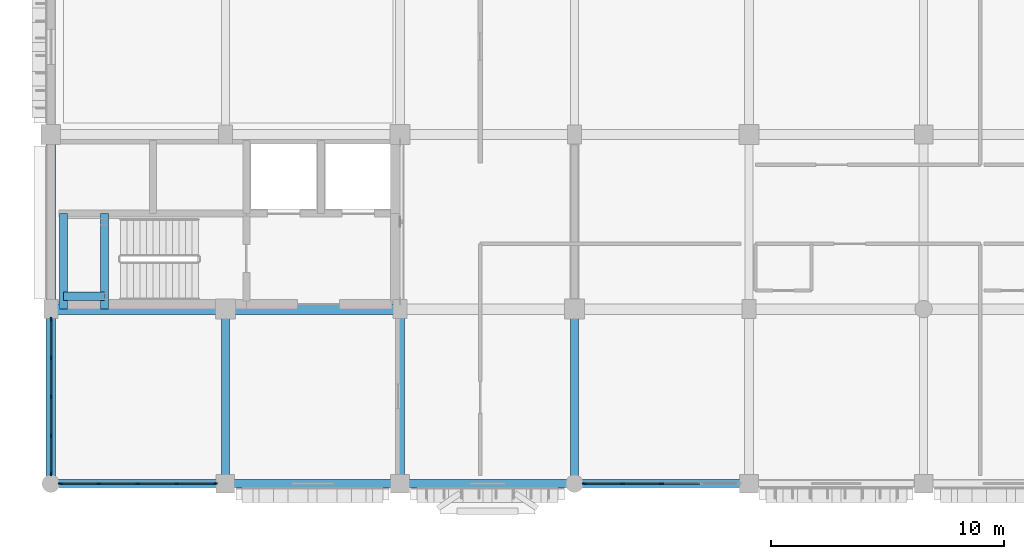
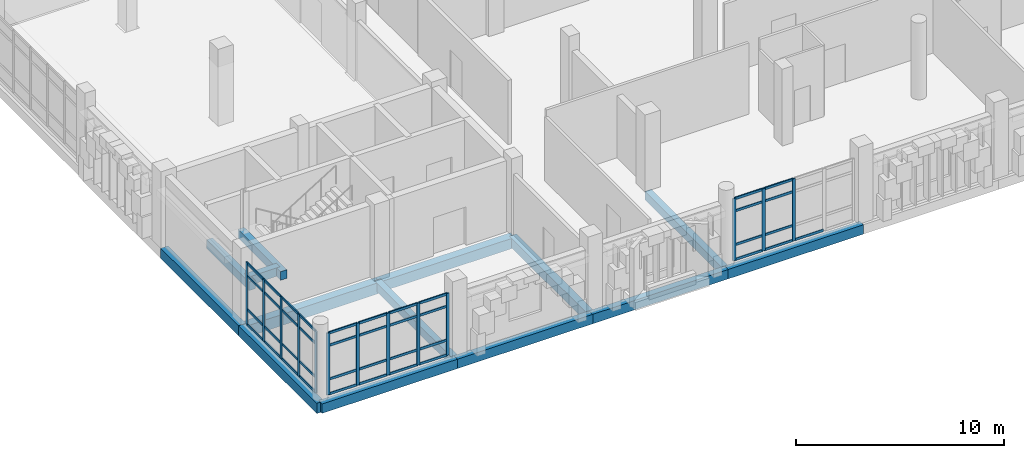
# One storey, part 13 of 128: 54 members, 14 beams, 3 elements without a shape of their own.
"""IFC4 building model written with IfcOpenShell, lengths in metres."""

from ifc_helpers import new_model, si_unit, direction, frame, origin, origin_2d, place, context, subcontext, project, spatial, rectangle, extrude, material, layer, layer_set, material_profile, profile_set, type_object, element, aggregate, save


model = new_model("IFC4")

# Units and contexts
model_context = context("Model", 3, precision=1e-05, world=origin(), true_north=direction((0.0, 1.0)))
body_context = subcontext(model_context, "Body", "Model", "MODEL_VIEW")
ifc_project = project(units=[si_unit("LENGTHUNIT", "METRE"), si_unit("AREAUNIT", "SQUARE_METRE"), si_unit("VOLUMEUNIT", "CUBIC_METRE"), si_unit("PLANEANGLEUNIT", "RADIAN"), si_unit("MASSUNIT", "GRAM", prefix="KILO")], contexts=[model_context])

# Site, building, storey
site_placement = place(None, origin())
site = spatial("IfcSite", under=ifc_project, at=site_placement, CompositionType="ELEMENT")
building_placement = place(site_placement, origin())
building = spatial("IfcBuilding", under=site, at=building_placement, Name="Dalvernix Boulevard General Hospital", CompositionType="ELEMENT")
storey_placement = place(building_placement, frame((0.0, 0.0, 4.800048828125)))
storey = spatial("IfcBuildingStorey", under=building, at=storey_placement, Name="L01", CompositionType="ELEMENT", Elevation=4.800048828125)

# Beams
ifc_material_1 = material(Name="Concrete C35/45", Category="concrete")
ifc_material_profile_1 = material_profile(ifc_material_1, rectangle(XDim=0.449951171875, YDim=0.64990234375, at=origin_2d()), Name="RCB 450x650")
ifc_profile_set_1 = profile_set([ifc_material_profile_1], Name="Concrete C35/45")
beam_type_1 = type_object("IfcBeamType", Name="BM-B-03-I", PredefinedType="BEAM", material=ifc_profile_set_1)
beam_1_placement = place(storey_placement, frame((0.0, 7.5, -0.625), z_axis=(1.0, 0.0, 0.0), x_axis=(0.0, 1.0, 0.0)))
element("IfcBeam", 1, at=beam_1_placement, inside=storey, type_object=beam_type_1, Name="L01 E-W girder B:1-2", PredefinedType="BEAM", context=body_context, shape_type="SweptSolid", body=[
    extrude(rectangle(XDim=0.449951171875, YDim=0.64990234375, at=origin_2d()), origin(), (0.0, 0.0, 1.0), 7.5),
])
ifc_material_profile_2 = material_profile(ifc_material_1, rectangle(XDim=0.449951171875, YDim=0.60009765625, at=origin_2d()), Name="RCB 450x600")
ifc_profile_set_2 = profile_set([ifc_material_profile_2], Name="Concrete C35/45")
beam_type_2 = type_object("IfcBeamType", Name="BM-B-04-I", PredefinedType="BEAM", material=ifc_profile_set_2)
beam_2_placement = place(storey_placement, frame((7.5, 7.5, -0.60009765625), z_axis=(1.0, 0.0, 0.0), x_axis=(0.0, 1.0, 0.0)))
element("IfcBeam", 2, at=beam_2_placement, inside=storey, type_object=beam_type_2, Name="L01 E-W girder B:2-3", PredefinedType="BEAM", context=body_context, shape_type="SweptSolid", body=[
    extrude(rectangle(XDim=0.449951171875, YDim=0.60009765625, at=origin_2d()), origin(), (0.0, 0.0, 1.0), 7.5),
])
ifc_material_profile_3 = material_profile(ifc_material_1, rectangle(XDim=0.39990234375, YDim=0.550048828125, at=origin_2d()), Name="RCB 400x550")
ifc_profile_set_3 = profile_set([ifc_material_profile_3], Name="Concrete C35/45")
beam_type_3 = type_object("IfcBeamType", Name="BM-B-06-I", PredefinedType="BEAM", material=ifc_profile_set_3)
beam_3_placement = place(storey_placement, frame((15.0, 0.0, -0.574951171875), z_axis=(0.0, 1.0, 0.0), x_axis=(-1.0, 0.0, 0.0)))
element("IfcBeam", 3, at=beam_3_placement, inside=storey, type_object=beam_type_3, Name="L01 N-S girder 3:A-B", PredefinedType="BEAM", context=body_context, shape_type="SweptSolid", body=[
    extrude(rectangle(XDim=0.39990234375, YDim=0.550048828125, at=origin_2d()), origin(), (0.0, 0.0, 1.0), 7.5),
])
ifc_material_profile_4 = material_profile(ifc_material_1, rectangle(XDim=0.35009765625, YDim=0.5, at=origin_2d()), Name="RCB 350x500")
ifc_profile_set_4 = profile_set([ifc_material_profile_4], Name="Concrete C35/45")
beam_type_4 = type_object("IfcBeamType", Name="BM-B-08", PredefinedType="BEAM", material=ifc_profile_set_4)
for number, where, z_axis, x_axis, name in (
    (4, (0.550048828125, 7.5, 1.800048828125), (0.0, 1.0, 0.0), (-1.0, 0.0, 0.0), "L01 C1 stair half-landing beam 1"),
    (5, (2.300048828125, 7.5, 1.800048828125), (0.0, 1.0, 0.0), (-1.0, 0.0, 0.0), "L01 C1 stair half-landing beam 2"),
):
    element("IfcBeam", number, at=place(storey_placement, frame(where, z_axis=z_axis, x_axis=x_axis)), inside=storey, type_object=beam_type_4, Name=name, PredefinedType="BEAM", context=body_context, shape_type="SweptSolid", body=[
        extrude(rectangle(XDim=0.35009765625, YDim=0.5, at=origin_2d()), origin(), (0.0, 0.0, 1.0), 4.10009765625),
    ])
beam_4_placement = place(storey_placement, frame((0.550048828125, 8.050048828125, 1.800048828125), z_axis=(1.0, 0.0, 0.0), x_axis=(0.0, 1.0, 0.0)))
element("IfcBeam", 6, at=beam_4_placement, inside=storey, type_object=beam_type_4, Name="L01 C1 stair half-landing tie beam", PredefinedType="BEAM", context=body_context, shape_type="SweptSolid", body=[
    extrude(rectangle(XDim=0.35009765625, YDim=0.5, at=origin_2d()), origin(), (0.0, 0.0, 1.0), 1.75),
])
ifc_material_profile_5 = material_profile(ifc_material_1, rectangle(XDim=0.35009765625, YDim=0.5, at=origin_2d()), Name="RCB 350x500")
ifc_profile_set_5 = profile_set([ifc_material_profile_5], Name="Concrete C35/45")
beam_type_5 = type_object("IfcBeamType", Name="BM-B-08-I", PredefinedType="BEAM", material=ifc_profile_set_5)
for number, where, z_axis, x_axis, name in (
    (7, (7.5, 0.0, -0.550048828125), (0.0, 1.0, 0.0), (-1.0, 0.0, 0.0), "L01 N-S girder 2:A-B"),
    (8, (22.5, 0.0, -0.550048828125), (0.0, 1.0, 0.0), (-1.0, 0.0, 0.0), "L01 N-S girder 4:A-B"),
):
    element("IfcBeam", number, at=place(storey_placement, frame(where, z_axis=z_axis, x_axis=x_axis)), inside=storey, type_object=beam_type_5, Name=name, PredefinedType="BEAM", context=body_context, shape_type="SweptSolid", body=[
        extrude(rectangle(XDim=0.35009765625, YDim=0.5, at=origin_2d()), origin(), (0.0, 0.0, 1.0), 7.5),
    ])
ifc_material_profile_6 = material_profile(ifc_material_1, rectangle(XDim=0.35009765625, YDim=0.550048828125, at=origin_2d()), Name="RCB 350x550")
ifc_profile_set_6 = profile_set([ifc_material_profile_6], Name="Concrete C35/45")
beam_type_6 = type_object("IfcBeamType", Name="BM-SB-01-E", PredefinedType="SPANDREL", material=ifc_profile_set_6)
for number, where, z_axis, x_axis, name in (
    (9, (0.0, 0.0, -0.574951171875), (1.0, 0.0, 0.0), (0.0, 1.0, 0.0), "L01 E-W girder A:1-2"),
    (10, (7.5, 0.0, -0.574951171875), (1.0, 0.0, 0.0), (0.0, 1.0, 0.0), "L01 E-W girder A:2-3"),
    (11, (15.0, 0.0, -0.574951171875), (1.0, 0.0, 0.0), (0.0, 1.0, 0.0), "L01 E-W girder A:3-4"),
    (12, (22.5, 0.0, -0.574951171875), (1.0, 0.0, 0.0), (0.0, 1.0, 0.0), "L01 E-W girder A:4-5"),
):
    element("IfcBeam", number, at=place(storey_placement, frame(where, z_axis=z_axis, x_axis=x_axis)), inside=storey, type_object=beam_type_6, Name=name, PredefinedType="SPANDREL", context=body_context, shape_type="SweptSolid", body=[
        extrude(rectangle(XDim=0.35009765625, YDim=0.550048828125, at=origin_2d()), origin(), (0.0, 0.0, 1.0), 7.5),
    ])
ifc_material_profile_7 = material_profile(ifc_material_1, rectangle(XDim=0.39990234375, YDim=0.60009765625, at=origin_2d()), Name="RCB 400x600")
ifc_profile_set_7 = profile_set([ifc_material_profile_7], Name="Concrete C35/45")
beam_type_7 = type_object("IfcBeamType", Name="BM-SB-02-E", PredefinedType="SPANDREL", material=ifc_profile_set_7)
for number, where, z_axis, x_axis, name in (
    (13, (0.0, 0.0, -0.60009765625), (0.0, 1.0, 0.0), (-1.0, 0.0, 0.0), "L01 N-S girder 1:A-B"),
    (14, (0.0, 7.5, -0.60009765625), (0.0, 1.0, 0.0), (-1.0, 0.0, 0.0), "L01 N-S girder 1:B-C"),
):
    element("IfcBeam", number, at=place(storey_placement, frame(where, z_axis=z_axis, x_axis=x_axis)), inside=storey, type_object=beam_type_7, Name=name, PredefinedType="SPANDREL", context=body_context, shape_type="SweptSolid", body=[
        extrude(rectangle(XDim=0.39990234375, YDim=0.60009765625, at=origin_2d()), origin(), (0.0, 0.0, 1.0), 7.5),
    ])

# Curtain wall, members
ifc_material_2 = material(Name="Thermally broken aluminium and solar-control glass curtain wall", Category="aluminium")
ifc_layer = layer(ifc_material_2, 0.179931640625)
ifc_layer_set = layer_set([ifc_layer], Name="Thermally broken aluminium and solar-control glass curtain wall (CW-CW-B-67x36)")
curtain_wall_type = type_object("IfcCurtainWallType", Name="CW-CW-B-67x36", PredefinedType="USERDEFINED", material=ifc_layer_set)
curtain_wall_1_placement = place(storey_placement, origin())
curtain_wall_1 = element("IfcCurtainWall", 15, at=curtain_wall_1_placement, inside=storey, type_object=curtain_wall_type, Name="L01 curtain wall CW-B-67x36 0-0", ObjectType="GLAZED FACADE", PredefinedType="USERDEFINED")
ifc_material_3 = material(Name="Aluminium EN AW-6060", Category="aluminium")
ifc_material_profile_8 = material_profile(ifc_material_3, rectangle(XDim=0.06494140625, YDim=0.179931640625, at=origin_2d()), Name="ALU MULL 65x180")
ifc_profile_set_8 = profile_set([ifc_material_profile_8], Name="Aluminium EN AW-6060")
member_type_1 = type_object("IfcMemberType", Name="MEM-CW-M2", PredefinedType="MULLION", material=ifc_profile_set_8)
member_1_placement = place(storey_placement, frame((7.0576171875, 0.0, 0.0), z_axis=(0.0, 0.0, 1.0), x_axis=(0.0, -1.0, 0.0)))
member_1 = element("IfcMember", 16, at=member_1_placement, type_object=member_type_1, Name="CW-B-67x36 mullion 1", PredefinedType="MULLION", context=body_context, shape_type="SweptSolid", body=[
    extrude(rectangle(XDim=0.06494140625, YDim=0.179931640625, at=origin_2d()), origin(), (0.0, 0.0, 1.0), 3.6298828125),
])
member_2_placement = place(storey_placement, frame((5.413818359375, 0.0, 0.0), z_axis=(0.0, 0.0, 1.0), x_axis=(0.0, -1.0, 0.0)))
member_2 = element("IfcMember", 17, at=member_2_placement, type_object=member_type_1, Name="CW-B-67x36 mullion 2", PredefinedType="MULLION", context=body_context, shape_type="SweptSolid", body=[
    extrude(rectangle(XDim=0.06494140625, YDim=0.179931640625, at=origin_2d()), origin(), (0.0, 0.0, 1.0), 3.6298828125),
])
member_3_placement = place(storey_placement, frame((3.737548828125, 0.0, 0.0), z_axis=(0.0, 0.0, 1.0), x_axis=(0.0, -1.0, 0.0)))
member_3 = element("IfcMember", 18, at=member_3_placement, type_object=member_type_1, Name="CW-B-67x36 mullion 3", PredefinedType="MULLION", context=body_context, shape_type="SweptSolid", body=[
    extrude(rectangle(XDim=0.06494140625, YDim=0.179931640625, at=origin_2d()), origin(), (0.0, 0.0, 1.0), 3.6298828125),
])
member_4_placement = place(storey_placement, frame((2.061279296875, 0.0, 0.0), z_axis=(0.0, 0.0, 1.0), x_axis=(0.0, -1.0, 0.0)))
member_4 = element("IfcMember", 19, at=member_4_placement, type_object=member_type_1, Name="CW-B-67x36 mullion 4", PredefinedType="MULLION", context=body_context, shape_type="SweptSolid", body=[
    extrude(rectangle(XDim=0.06494140625, YDim=0.179931640625, at=origin_2d()), origin(), (0.0, 0.0, 1.0), 3.6298828125),
])
member_5_placement = place(storey_placement, frame((0.41748046875, 0.0, 0.0), z_axis=(0.0, 0.0, 1.0), x_axis=(0.0, -1.0, 0.0)))
member_5 = element("IfcMember", 20, at=member_5_placement, type_object=member_type_1, Name="CW-B-67x36 mullion 5", PredefinedType="MULLION", context=body_context, shape_type="SweptSolid", body=[
    extrude(rectangle(XDim=0.06494140625, YDim=0.179931640625, at=origin_2d()), origin(), (0.0, 0.0, 1.0), 3.6298828125),
])

curtain_wall_2_placement = place(storey_placement, origin())
curtain_wall_2 = element("IfcCurtainWall", 21, at=curtain_wall_2_placement, inside=storey, type_object=curtain_wall_type, Name="L01 curtain wall CW-B-67x36 0-0", ObjectType="GLAZED FACADE", PredefinedType="USERDEFINED")
member_6_placement = place(storey_placement, frame((0.0, 0.41748046875, 0.0), z_axis=(0.0, 0.0, 1.0), x_axis=(-1.0, 0.0, 0.0)))
member_6 = element("IfcMember", 22, at=member_6_placement, type_object=member_type_1, Name="CW-B-67x36 mullion 1", PredefinedType="MULLION", context=body_context, shape_type="SweptSolid", body=[
    extrude(rectangle(XDim=0.06494140625, YDim=0.179931640625, at=origin_2d()), origin(), (0.0, 0.0, 1.0), 3.6298828125),
])
member_7_placement = place(storey_placement, frame((0.0, 2.061279296875, 0.0), z_axis=(0.0, 0.0, 1.0), x_axis=(-1.0, 0.0, 0.0)))
member_7 = element("IfcMember", 23, at=member_7_placement, type_object=member_type_1, Name="CW-B-67x36 mullion 2", PredefinedType="MULLION", context=body_context, shape_type="SweptSolid", body=[
    extrude(rectangle(XDim=0.06494140625, YDim=0.179931640625, at=origin_2d()), origin(), (0.0, 0.0, 1.0), 3.6298828125),
])
member_8_placement = place(storey_placement, frame((0.0, 3.737548828125, 0.0), z_axis=(0.0, 0.0, 1.0), x_axis=(-1.0, 0.0, 0.0)))
member_8 = element("IfcMember", 24, at=member_8_placement, type_object=member_type_1, Name="CW-B-67x36 mullion 3", PredefinedType="MULLION", context=body_context, shape_type="SweptSolid", body=[
    extrude(rectangle(XDim=0.06494140625, YDim=0.179931640625, at=origin_2d()), origin(), (0.0, 0.0, 1.0), 3.6298828125),
])
member_9_placement = place(storey_placement, frame((0.0, 5.413818359375, 0.0), z_axis=(0.0, 0.0, 1.0), x_axis=(-1.0, 0.0, 0.0)))
member_9 = element("IfcMember", 25, at=member_9_placement, type_object=member_type_1, Name="CW-B-67x36 mullion 4", PredefinedType="MULLION", context=body_context, shape_type="SweptSolid", body=[
    extrude(rectangle(XDim=0.06494140625, YDim=0.179931640625, at=origin_2d()), origin(), (0.0, 0.0, 1.0), 3.6298828125),
])
member_10_placement = place(storey_placement, frame((0.0, 7.0576171875, 0.0), z_axis=(0.0, 0.0, 1.0), x_axis=(-1.0, 0.0, 0.0)))
member_10 = element("IfcMember", 26, at=member_10_placement, type_object=member_type_1, Name="CW-B-67x36 mullion 5", PredefinedType="MULLION", context=body_context, shape_type="SweptSolid", body=[
    extrude(rectangle(XDim=0.06494140625, YDim=0.179931640625, at=origin_2d()), origin(), (0.0, 0.0, 1.0), 3.6298828125),
])

curtain_wall_3_placement = place(storey_placement, origin())
curtain_wall_3 = element("IfcCurtainWall", 27, at=curtain_wall_3_placement, inside=storey, type_object=curtain_wall_type, Name="L01 curtain wall CW-B-67x36 3-0", ObjectType="GLAZED FACADE", PredefinedType="USERDEFINED")
member_11_placement = place(storey_placement, frame((26.237548828125, 0.0, 0.0), z_axis=(0.0, 0.0, 1.0), x_axis=(0.0, -1.0, 0.0)))
member_11 = element("IfcMember", 28, at=member_11_placement, type_object=member_type_1, Name="CW-B-67x36 mullion 3", PredefinedType="MULLION", context=body_context, shape_type="SweptSolid", body=[
    extrude(rectangle(XDim=0.06494140625, YDim=0.179931640625, at=origin_2d()), origin(), (0.0, 0.0, 1.0), 3.6298828125),
])
member_12_placement = place(storey_placement, frame((24.561279296875, 0.0, 0.0), z_axis=(0.0, 0.0, 1.0), x_axis=(0.0, -1.0, 0.0)))
member_12 = element("IfcMember", 29, at=member_12_placement, type_object=member_type_1, Name="CW-B-67x36 mullion 4", PredefinedType="MULLION", context=body_context, shape_type="SweptSolid", body=[
    extrude(rectangle(XDim=0.06494140625, YDim=0.179931640625, at=origin_2d()), origin(), (0.0, 0.0, 1.0), 3.6298828125),
])
member_13_placement = place(storey_placement, frame((22.91748046875, 0.0, 0.0), z_axis=(0.0, 0.0, 1.0), x_axis=(0.0, -1.0, 0.0)))
member_13 = element("IfcMember", 30, at=member_13_placement, type_object=member_type_1, Name="CW-B-67x36 mullion 5", PredefinedType="MULLION", context=body_context, shape_type="SweptSolid", body=[
    extrude(rectangle(XDim=0.06494140625, YDim=0.179931640625, at=origin_2d()), origin(), (0.0, 0.0, 1.0), 3.6298828125),
])

# Member
ifc_material_profile_9 = material_profile(ifc_material_3, rectangle(XDim=0.06494140625, YDim=0.139892578125, at=origin_2d()), Name="ALU TRAN 65x140")
ifc_profile_set_9 = profile_set([ifc_material_profile_9], Name="Aluminium EN AW-6060")
member_type_2 = type_object("IfcMemberType", Name="MEM-CW-T2", PredefinedType="USERDEFINED", material=ifc_profile_set_9)
member_14_placement = place(storey_placement, frame((7.02490234375, 0.0, 0.032470703125), z_axis=(-1.0, 0.0, 0.0), x_axis=(0.0, -1.0, 0.0)))
member_14 = element("IfcMember", 31, at=member_14_placement, type_object=member_type_2, Name="CW-B-67x36 transom 1.1", ObjectType="TRANSOM", PredefinedType="USERDEFINED", context=body_context, shape_type="SweptSolid", body=[
    extrude(rectangle(XDim=0.06494140625, YDim=0.139892578125, at=origin_2d()), origin(), (0.0, 0.0, 1.0), 1.57861328125),
])

member_15_placement = place(storey_placement, frame((7.02490234375, 0.0, 0.89990234375), z_axis=(-1.0, 0.0, 0.0), x_axis=(0.0, -1.0, 0.0)))
member_15 = element("IfcMember", 32, at=member_15_placement, type_object=member_type_2, Name="CW-B-67x36 transom 1.2", ObjectType="TRANSOM", PredefinedType="USERDEFINED", context=body_context, shape_type="SweptSolid", body=[
    extrude(rectangle(XDim=0.06494140625, YDim=0.139892578125, at=origin_2d()), origin(), (0.0, 0.0, 1.0), 1.57861328125),
])

member_16_placement = place(storey_placement, frame((7.02490234375, 0.0, 2.8798828125), z_axis=(-1.0, 0.0, 0.0), x_axis=(0.0, -1.0, 0.0)))
member_16 = element("IfcMember", 33, at=member_16_placement, type_object=member_type_2, Name="CW-B-67x36 transom 1.3", ObjectType="TRANSOM", PredefinedType="USERDEFINED", context=body_context, shape_type="SweptSolid", body=[
    extrude(rectangle(XDim=0.06494140625, YDim=0.139892578125, at=origin_2d()), origin(), (0.0, 0.0, 1.0), 1.57861328125),
])

member_17_placement = place(storey_placement, frame((7.02490234375, 0.0, 3.597412109375), z_axis=(-1.0, 0.0, 0.0), x_axis=(0.0, -1.0, 0.0)))
member_17 = element("IfcMember", 34, at=member_17_placement, type_object=member_type_2, Name="CW-B-67x36 transom 1.4", ObjectType="TRANSOM", PredefinedType="USERDEFINED", context=body_context, shape_type="SweptSolid", body=[
    extrude(rectangle(XDim=0.06494140625, YDim=0.139892578125, at=origin_2d()), origin(), (0.0, 0.0, 1.0), 1.57861328125),
])

member_18_placement = place(storey_placement, frame((5.38134765625, 0.0, 0.032470703125), z_axis=(-1.0, 0.0, 0.0), x_axis=(0.0, -1.0, 0.0)))
member_18 = element("IfcMember", 35, at=member_18_placement, type_object=member_type_2, Name="CW-B-67x36 transom 2.1", ObjectType="TRANSOM", PredefinedType="USERDEFINED", context=body_context, shape_type="SweptSolid", body=[
    extrude(rectangle(XDim=0.06494140625, YDim=0.139892578125, at=origin_2d()), origin(), (0.0, 0.0, 1.0), 1.611328125),
])

member_19_placement = place(storey_placement, frame((5.38134765625, 0.0, 0.89990234375), z_axis=(-1.0, 0.0, 0.0), x_axis=(0.0, -1.0, 0.0)))
member_19 = element("IfcMember", 36, at=member_19_placement, type_object=member_type_2, Name="CW-B-67x36 transom 2.2", ObjectType="TRANSOM", PredefinedType="USERDEFINED", context=body_context, shape_type="SweptSolid", body=[
    extrude(rectangle(XDim=0.06494140625, YDim=0.139892578125, at=origin_2d()), origin(), (0.0, 0.0, 1.0), 1.611328125),
])

member_20_placement = place(storey_placement, frame((5.38134765625, 0.0, 2.8798828125), z_axis=(-1.0, 0.0, 0.0), x_axis=(0.0, -1.0, 0.0)))
member_20 = element("IfcMember", 37, at=member_20_placement, type_object=member_type_2, Name="CW-B-67x36 transom 2.3", ObjectType="TRANSOM", PredefinedType="USERDEFINED", context=body_context, shape_type="SweptSolid", body=[
    extrude(rectangle(XDim=0.06494140625, YDim=0.139892578125, at=origin_2d()), origin(), (0.0, 0.0, 1.0), 1.611328125),
])

member_21_placement = place(storey_placement, frame((5.38134765625, 0.0, 3.597412109375), z_axis=(-1.0, 0.0, 0.0), x_axis=(0.0, -1.0, 0.0)))
member_21 = element("IfcMember", 38, at=member_21_placement, type_object=member_type_2, Name="CW-B-67x36 transom 2.4", ObjectType="TRANSOM", PredefinedType="USERDEFINED", context=body_context, shape_type="SweptSolid", body=[
    extrude(rectangle(XDim=0.06494140625, YDim=0.139892578125, at=origin_2d()), origin(), (0.0, 0.0, 1.0), 1.611328125),
])

member_22_placement = place(storey_placement, frame((3.705078125, 0.0, 0.032470703125), z_axis=(-1.0, 0.0, 0.0), x_axis=(0.0, -1.0, 0.0)))
member_22 = element("IfcMember", 39, at=member_22_placement, type_object=member_type_2, Name="CW-B-67x36 transom 3.1", ObjectType="TRANSOM", PredefinedType="USERDEFINED", context=body_context, shape_type="SweptSolid", body=[
    extrude(rectangle(XDim=0.06494140625, YDim=0.139892578125, at=origin_2d()), origin(), (0.0, 0.0, 1.0), 1.611328125),
])

member_23_placement = place(storey_placement, frame((3.705078125, 0.0, 0.89990234375), z_axis=(-1.0, 0.0, 0.0), x_axis=(0.0, -1.0, 0.0)))
member_23 = element("IfcMember", 40, at=member_23_placement, type_object=member_type_2, Name="CW-B-67x36 transom 3.2", ObjectType="TRANSOM", PredefinedType="USERDEFINED", context=body_context, shape_type="SweptSolid", body=[
    extrude(rectangle(XDim=0.06494140625, YDim=0.139892578125, at=origin_2d()), origin(), (0.0, 0.0, 1.0), 1.611328125),
])

member_24_placement = place(storey_placement, frame((3.705078125, 0.0, 2.8798828125), z_axis=(-1.0, 0.0, 0.0), x_axis=(0.0, -1.0, 0.0)))
member_24 = element("IfcMember", 41, at=member_24_placement, type_object=member_type_2, Name="CW-B-67x36 transom 3.3", ObjectType="TRANSOM", PredefinedType="USERDEFINED", context=body_context, shape_type="SweptSolid", body=[
    extrude(rectangle(XDim=0.06494140625, YDim=0.139892578125, at=origin_2d()), origin(), (0.0, 0.0, 1.0), 1.611328125),
])

member_25_placement = place(storey_placement, frame((3.705078125, 0.0, 3.597412109375), z_axis=(-1.0, 0.0, 0.0), x_axis=(0.0, -1.0, 0.0)))
member_25 = element("IfcMember", 42, at=member_25_placement, type_object=member_type_2, Name="CW-B-67x36 transom 3.4", ObjectType="TRANSOM", PredefinedType="USERDEFINED", context=body_context, shape_type="SweptSolid", body=[
    extrude(rectangle(XDim=0.06494140625, YDim=0.139892578125, at=origin_2d()), origin(), (0.0, 0.0, 1.0), 1.611328125),
])

member_26_placement = place(storey_placement, frame((2.02880859375, 0.0, 0.032470703125), z_axis=(-1.0, 0.0, 0.0), x_axis=(0.0, -1.0, 0.0)))
member_26 = element("IfcMember", 43, at=member_26_placement, type_object=member_type_2, Name="CW-B-67x36 transom 4.1", ObjectType="TRANSOM", PredefinedType="USERDEFINED", context=body_context, shape_type="SweptSolid", body=[
    extrude(rectangle(XDim=0.06494140625, YDim=0.139892578125, at=origin_2d()), origin(), (0.0, 0.0, 1.0), 1.578857421875),
])

member_27_placement = place(storey_placement, frame((2.02880859375, 0.0, 0.89990234375), z_axis=(-1.0, 0.0, 0.0), x_axis=(0.0, -1.0, 0.0)))
member_27 = element("IfcMember", 44, at=member_27_placement, type_object=member_type_2, Name="CW-B-67x36 transom 4.2", ObjectType="TRANSOM", PredefinedType="USERDEFINED", context=body_context, shape_type="SweptSolid", body=[
    extrude(rectangle(XDim=0.06494140625, YDim=0.139892578125, at=origin_2d()), origin(), (0.0, 0.0, 1.0), 1.578857421875),
])

member_28_placement = place(storey_placement, frame((2.02880859375, 0.0, 2.8798828125), z_axis=(-1.0, 0.0, 0.0), x_axis=(0.0, -1.0, 0.0)))
member_28 = element("IfcMember", 45, at=member_28_placement, type_object=member_type_2, Name="CW-B-67x36 transom 4.3", ObjectType="TRANSOM", PredefinedType="USERDEFINED", context=body_context, shape_type="SweptSolid", body=[
    extrude(rectangle(XDim=0.06494140625, YDim=0.139892578125, at=origin_2d()), origin(), (0.0, 0.0, 1.0), 1.578857421875),
])

member_29_placement = place(storey_placement, frame((2.02880859375, 0.0, 3.597412109375), z_axis=(-1.0, 0.0, 0.0), x_axis=(0.0, -1.0, 0.0)))
member_29 = element("IfcMember", 46, at=member_29_placement, type_object=member_type_2, Name="CW-B-67x36 transom 4.4", ObjectType="TRANSOM", PredefinedType="USERDEFINED", context=body_context, shape_type="SweptSolid", body=[
    extrude(rectangle(XDim=0.06494140625, YDim=0.139892578125, at=origin_2d()), origin(), (0.0, 0.0, 1.0), 1.578857421875),
])

aggregate(curtain_wall_1, [member_1, member_2, member_3, member_4, member_5, member_14, member_15, member_16, member_17, member_18, member_19, member_20, member_21, member_22, member_23, member_24, member_25, member_26, member_27, member_28, member_29])

member_30_placement = place(storey_placement, frame((0.0, 0.449951171875, 0.032470703125), z_axis=(0.0, 1.0, 0.0), x_axis=(-1.0, 0.0, 0.0)))
member_30 = element("IfcMember", 47, at=member_30_placement, type_object=member_type_2, Name="CW-B-67x36 transom 1.1", ObjectType="TRANSOM", PredefinedType="USERDEFINED", context=body_context, shape_type="SweptSolid", body=[
    extrude(rectangle(XDim=0.06494140625, YDim=0.139892578125, at=origin_2d()), origin(), (0.0, 0.0, 1.0), 1.578857421875),
])

member_31_placement = place(storey_placement, frame((0.0, 0.449951171875, 0.89990234375), z_axis=(0.0, 1.0, 0.0), x_axis=(-1.0, 0.0, 0.0)))
member_31 = element("IfcMember", 48, at=member_31_placement, type_object=member_type_2, Name="CW-B-67x36 transom 1.2", ObjectType="TRANSOM", PredefinedType="USERDEFINED", context=body_context, shape_type="SweptSolid", body=[
    extrude(rectangle(XDim=0.06494140625, YDim=0.139892578125, at=origin_2d()), origin(), (0.0, 0.0, 1.0), 1.578857421875),
])

member_32_placement = place(storey_placement, frame((0.0, 0.449951171875, 2.8798828125), z_axis=(0.0, 1.0, 0.0), x_axis=(-1.0, 0.0, 0.0)))
member_32 = element("IfcMember", 49, at=member_32_placement, type_object=member_type_2, Name="CW-B-67x36 transom 1.3", ObjectType="TRANSOM", PredefinedType="USERDEFINED", context=body_context, shape_type="SweptSolid", body=[
    extrude(rectangle(XDim=0.06494140625, YDim=0.139892578125, at=origin_2d()), origin(), (0.0, 0.0, 1.0), 1.578857421875),
])

member_33_placement = place(storey_placement, frame((0.0, 0.449951171875, 3.597412109375), z_axis=(0.0, 1.0, 0.0), x_axis=(-1.0, 0.0, 0.0)))
member_33 = element("IfcMember", 50, at=member_33_placement, type_object=member_type_2, Name="CW-B-67x36 transom 1.4", ObjectType="TRANSOM", PredefinedType="USERDEFINED", context=body_context, shape_type="SweptSolid", body=[
    extrude(rectangle(XDim=0.06494140625, YDim=0.139892578125, at=origin_2d()), origin(), (0.0, 0.0, 1.0), 1.578857421875),
])

member_34_placement = place(storey_placement, frame((0.0, 2.09375, 0.032470703125), z_axis=(0.0, 1.0, 0.0), x_axis=(-1.0, 0.0, 0.0)))
member_34 = element("IfcMember", 51, at=member_34_placement, type_object=member_type_2, Name="CW-B-67x36 transom 2.1", ObjectType="TRANSOM", PredefinedType="USERDEFINED", context=body_context, shape_type="SweptSolid", body=[
    extrude(rectangle(XDim=0.06494140625, YDim=0.139892578125, at=origin_2d()), origin(), (0.0, 0.0, 1.0), 1.611328125),
])

member_35_placement = place(storey_placement, frame((0.0, 2.09375, 0.89990234375), z_axis=(0.0, 1.0, 0.0), x_axis=(-1.0, 0.0, 0.0)))
member_35 = element("IfcMember", 52, at=member_35_placement, type_object=member_type_2, Name="CW-B-67x36 transom 2.2", ObjectType="TRANSOM", PredefinedType="USERDEFINED", context=body_context, shape_type="SweptSolid", body=[
    extrude(rectangle(XDim=0.06494140625, YDim=0.139892578125, at=origin_2d()), origin(), (0.0, 0.0, 1.0), 1.611328125),
])

member_36_placement = place(storey_placement, frame((0.0, 2.09375, 2.8798828125), z_axis=(0.0, 1.0, 0.0), x_axis=(-1.0, 0.0, 0.0)))
member_36 = element("IfcMember", 53, at=member_36_placement, type_object=member_type_2, Name="CW-B-67x36 transom 2.3", ObjectType="TRANSOM", PredefinedType="USERDEFINED", context=body_context, shape_type="SweptSolid", body=[
    extrude(rectangle(XDim=0.06494140625, YDim=0.139892578125, at=origin_2d()), origin(), (0.0, 0.0, 1.0), 1.611328125),
])

member_37_placement = place(storey_placement, frame((0.0, 2.09375, 3.597412109375), z_axis=(0.0, 1.0, 0.0), x_axis=(-1.0, 0.0, 0.0)))
member_37 = element("IfcMember", 54, at=member_37_placement, type_object=member_type_2, Name="CW-B-67x36 transom 2.4", ObjectType="TRANSOM", PredefinedType="USERDEFINED", context=body_context, shape_type="SweptSolid", body=[
    extrude(rectangle(XDim=0.06494140625, YDim=0.139892578125, at=origin_2d()), origin(), (0.0, 0.0, 1.0), 1.611328125),
])

member_38_placement = place(storey_placement, frame((0.0, 3.77001953125, 0.032470703125), z_axis=(0.0, 1.0, 0.0), x_axis=(-1.0, 0.0, 0.0)))
member_38 = element("IfcMember", 55, at=member_38_placement, type_object=member_type_2, Name="CW-B-67x36 transom 3.1", ObjectType="TRANSOM", PredefinedType="USERDEFINED", context=body_context, shape_type="SweptSolid", body=[
    extrude(rectangle(XDim=0.06494140625, YDim=0.139892578125, at=origin_2d()), origin(), (0.0, 0.0, 1.0), 1.611328125),
])

member_39_placement = place(storey_placement, frame((0.0, 3.77001953125, 0.89990234375), z_axis=(0.0, 1.0, 0.0), x_axis=(-1.0, 0.0, 0.0)))
member_39 = element("IfcMember", 56, at=member_39_placement, type_object=member_type_2, Name="CW-B-67x36 transom 3.2", ObjectType="TRANSOM", PredefinedType="USERDEFINED", context=body_context, shape_type="SweptSolid", body=[
    extrude(rectangle(XDim=0.06494140625, YDim=0.139892578125, at=origin_2d()), origin(), (0.0, 0.0, 1.0), 1.611328125),
])

member_40_placement = place(storey_placement, frame((0.0, 3.77001953125, 2.8798828125), z_axis=(0.0, 1.0, 0.0), x_axis=(-1.0, 0.0, 0.0)))
member_40 = element("IfcMember", 57, at=member_40_placement, type_object=member_type_2, Name="CW-B-67x36 transom 3.3", ObjectType="TRANSOM", PredefinedType="USERDEFINED", context=body_context, shape_type="SweptSolid", body=[
    extrude(rectangle(XDim=0.06494140625, YDim=0.139892578125, at=origin_2d()), origin(), (0.0, 0.0, 1.0), 1.611328125),
])

member_41_placement = place(storey_placement, frame((0.0, 3.77001953125, 3.597412109375), z_axis=(0.0, 1.0, 0.0), x_axis=(-1.0, 0.0, 0.0)))
member_41 = element("IfcMember", 58, at=member_41_placement, type_object=member_type_2, Name="CW-B-67x36 transom 3.4", ObjectType="TRANSOM", PredefinedType="USERDEFINED", context=body_context, shape_type="SweptSolid", body=[
    extrude(rectangle(XDim=0.06494140625, YDim=0.139892578125, at=origin_2d()), origin(), (0.0, 0.0, 1.0), 1.611328125),
])

member_42_placement = place(storey_placement, frame((0.0, 5.4462890625, 0.032470703125), z_axis=(0.0, 1.0, 0.0), x_axis=(-1.0, 0.0, 0.0)))
member_42 = element("IfcMember", 59, at=member_42_placement, type_object=member_type_2, Name="CW-B-67x36 transom 4.1", ObjectType="TRANSOM", PredefinedType="USERDEFINED", context=body_context, shape_type="SweptSolid", body=[
    extrude(rectangle(XDim=0.06494140625, YDim=0.139892578125, at=origin_2d()), origin(), (0.0, 0.0, 1.0), 1.57861328125),
])

member_43_placement = place(storey_placement, frame((0.0, 5.4462890625, 0.89990234375), z_axis=(0.0, 1.0, 0.0), x_axis=(-1.0, 0.0, 0.0)))
member_43 = element("IfcMember", 60, at=member_43_placement, type_object=member_type_2, Name="CW-B-67x36 transom 4.2", ObjectType="TRANSOM", PredefinedType="USERDEFINED", context=body_context, shape_type="SweptSolid", body=[
    extrude(rectangle(XDim=0.06494140625, YDim=0.139892578125, at=origin_2d()), origin(), (0.0, 0.0, 1.0), 1.57861328125),
])

member_44_placement = place(storey_placement, frame((0.0, 5.4462890625, 2.8798828125), z_axis=(0.0, 1.0, 0.0), x_axis=(-1.0, 0.0, 0.0)))
member_44 = element("IfcMember", 61, at=member_44_placement, type_object=member_type_2, Name="CW-B-67x36 transom 4.3", ObjectType="TRANSOM", PredefinedType="USERDEFINED", context=body_context, shape_type="SweptSolid", body=[
    extrude(rectangle(XDim=0.06494140625, YDim=0.139892578125, at=origin_2d()), origin(), (0.0, 0.0, 1.0), 1.57861328125),
])

member_45_placement = place(storey_placement, frame((0.0, 5.4462890625, 3.597412109375), z_axis=(0.0, 1.0, 0.0), x_axis=(-1.0, 0.0, 0.0)))
member_45 = element("IfcMember", 62, at=member_45_placement, type_object=member_type_2, Name="CW-B-67x36 transom 4.4", ObjectType="TRANSOM", PredefinedType="USERDEFINED", context=body_context, shape_type="SweptSolid", body=[
    extrude(rectangle(XDim=0.06494140625, YDim=0.139892578125, at=origin_2d()), origin(), (0.0, 0.0, 1.0), 1.57861328125),
])

aggregate(curtain_wall_2, [member_6, member_7, member_8, member_9, member_10, member_30, member_31, member_32, member_33, member_34, member_35, member_36, member_37, member_38, member_39, member_40, member_41, member_42, member_43, member_44, member_45])

member_46_placement = place(storey_placement, frame((27.88134765625, 0.0, 0.032470703125), z_axis=(-1.0, 0.0, 0.0), x_axis=(0.0, -1.0, 0.0)))
member_46 = element("IfcMember", 63, at=member_46_placement, type_object=member_type_2, Name="CW-B-67x36 transom 2.1", ObjectType="TRANSOM", PredefinedType="USERDEFINED", context=body_context, shape_type="SweptSolid", body=[
    extrude(rectangle(XDim=0.06494140625, YDim=0.139892578125, at=origin_2d()), origin(), (0.0, 0.0, 1.0), 1.611328125),
])

member_47_placement = place(storey_placement, frame((26.205078125, 0.0, 0.032470703125), z_axis=(-1.0, 0.0, 0.0), x_axis=(0.0, -1.0, 0.0)))
member_47 = element("IfcMember", 64, at=member_47_placement, type_object=member_type_2, Name="CW-B-67x36 transom 3.1", ObjectType="TRANSOM", PredefinedType="USERDEFINED", context=body_context, shape_type="SweptSolid", body=[
    extrude(rectangle(XDim=0.06494140625, YDim=0.139892578125, at=origin_2d()), origin(), (0.0, 0.0, 1.0), 1.611328125),
])

member_48_placement = place(storey_placement, frame((26.205078125, 0.0, 0.89990234375), z_axis=(-1.0, 0.0, 0.0), x_axis=(0.0, -1.0, 0.0)))
member_48 = element("IfcMember", 65, at=member_48_placement, type_object=member_type_2, Name="CW-B-67x36 transom 3.2", ObjectType="TRANSOM", PredefinedType="USERDEFINED", context=body_context, shape_type="SweptSolid", body=[
    extrude(rectangle(XDim=0.06494140625, YDim=0.139892578125, at=origin_2d()), origin(), (0.0, 0.0, 1.0), 1.611328125),
])

member_49_placement = place(storey_placement, frame((26.205078125, 0.0, 2.8798828125), z_axis=(-1.0, 0.0, 0.0), x_axis=(0.0, -1.0, 0.0)))
member_49 = element("IfcMember", 66, at=member_49_placement, type_object=member_type_2, Name="CW-B-67x36 transom 3.3", ObjectType="TRANSOM", PredefinedType="USERDEFINED", context=body_context, shape_type="SweptSolid", body=[
    extrude(rectangle(XDim=0.06494140625, YDim=0.139892578125, at=origin_2d()), origin(), (0.0, 0.0, 1.0), 1.611328125),
])

member_50_placement = place(storey_placement, frame((26.205078125, 0.0, 3.597412109375), z_axis=(-1.0, 0.0, 0.0), x_axis=(0.0, -1.0, 0.0)))
member_50 = element("IfcMember", 67, at=member_50_placement, type_object=member_type_2, Name="CW-B-67x36 transom 3.4", ObjectType="TRANSOM", PredefinedType="USERDEFINED", context=body_context, shape_type="SweptSolid", body=[
    extrude(rectangle(XDim=0.06494140625, YDim=0.139892578125, at=origin_2d()), origin(), (0.0, 0.0, 1.0), 1.611328125),
])

member_51_placement = place(storey_placement, frame((24.52880859375, 0.0, 0.032470703125), z_axis=(-1.0, 0.0, 0.0), x_axis=(0.0, -1.0, 0.0)))
member_51 = element("IfcMember", 68, at=member_51_placement, type_object=member_type_2, Name="CW-B-67x36 transom 4.1", ObjectType="TRANSOM", PredefinedType="USERDEFINED", context=body_context, shape_type="SweptSolid", body=[
    extrude(rectangle(XDim=0.06494140625, YDim=0.139892578125, at=origin_2d()), origin(), (0.0, 0.0, 1.0), 1.578857421875),
])

member_52_placement = place(storey_placement, frame((24.52880859375, 0.0, 0.89990234375), z_axis=(-1.0, 0.0, 0.0), x_axis=(0.0, -1.0, 0.0)))
member_52 = element("IfcMember", 69, at=member_52_placement, type_object=member_type_2, Name="CW-B-67x36 transom 4.2", ObjectType="TRANSOM", PredefinedType="USERDEFINED", context=body_context, shape_type="SweptSolid", body=[
    extrude(rectangle(XDim=0.06494140625, YDim=0.139892578125, at=origin_2d()), origin(), (0.0, 0.0, 1.0), 1.578857421875),
])

member_53_placement = place(storey_placement, frame((24.52880859375, 0.0, 2.8798828125), z_axis=(-1.0, 0.0, 0.0), x_axis=(0.0, -1.0, 0.0)))
member_53 = element("IfcMember", 70, at=member_53_placement, type_object=member_type_2, Name="CW-B-67x36 transom 4.3", ObjectType="TRANSOM", PredefinedType="USERDEFINED", context=body_context, shape_type="SweptSolid", body=[
    extrude(rectangle(XDim=0.06494140625, YDim=0.139892578125, at=origin_2d()), origin(), (0.0, 0.0, 1.0), 1.578857421875),
])

member_54_placement = place(storey_placement, frame((24.52880859375, 0.0, 3.597412109375), z_axis=(-1.0, 0.0, 0.0), x_axis=(0.0, -1.0, 0.0)))
member_54 = element("IfcMember", 71, at=member_54_placement, type_object=member_type_2, Name="CW-B-67x36 transom 4.4", ObjectType="TRANSOM", PredefinedType="USERDEFINED", context=body_context, shape_type="SweptSolid", body=[
    extrude(rectangle(XDim=0.06494140625, YDim=0.139892578125, at=origin_2d()), origin(), (0.0, 0.0, 1.0), 1.578857421875),
])

aggregate(curtain_wall_3, [member_11, member_12, member_13, member_46, member_47, member_48, member_49, member_50, member_51, member_52, member_53, member_54])

save(model, "model.ifc")
